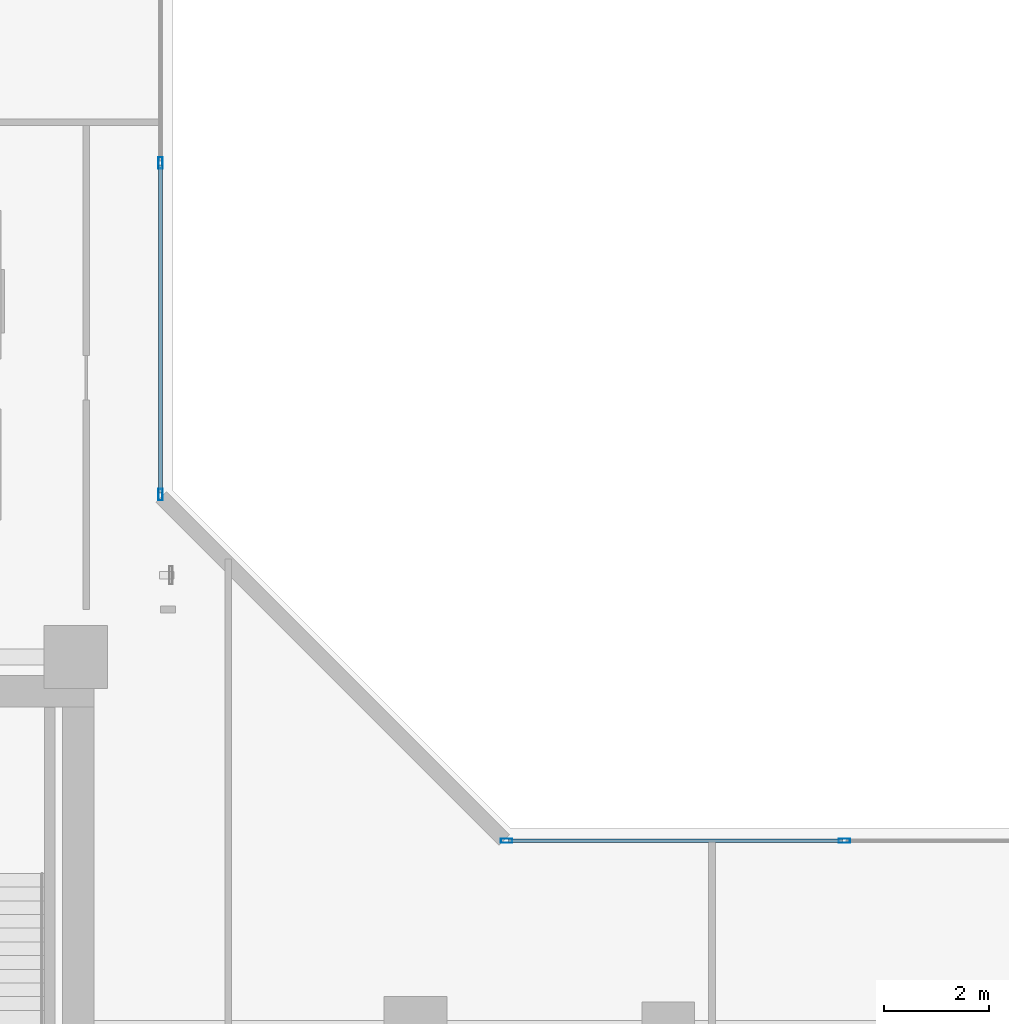
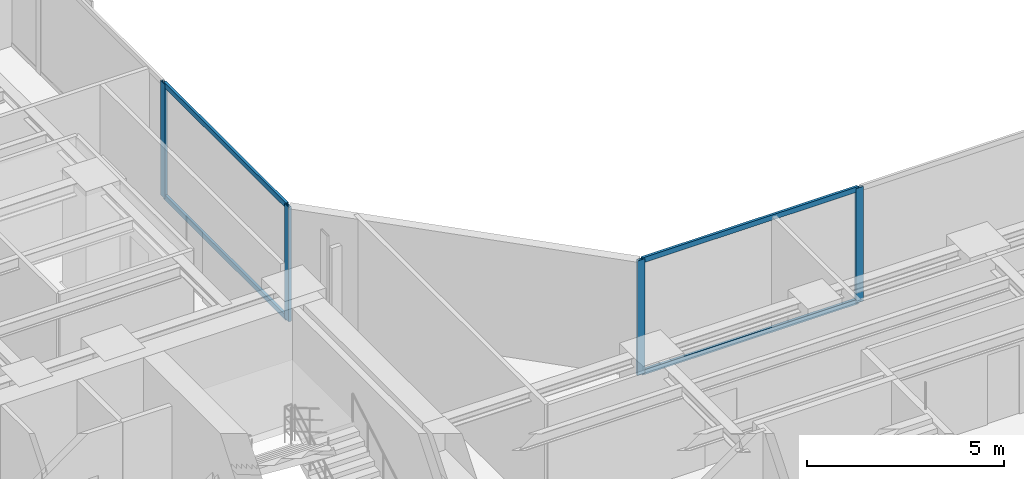
# One storey, part 10 of 27: 8 members, 2 elements without a shape of their own.
"""IFC4 building model written with IfcOpenShell, lengths in metres."""

from ifc_helpers import new_model, si_unit, direction, frame, origin, origin_with_axes, origin_2d, place, context, subcontext, project, spatial, hollow_rectangle, extrude, source, transform, mapped, material, layer, layer_set, material_profile, profile_set, type_object, element, aggregate, save


model = new_model("IFC4")

# Units and contexts
model_context = context("Model", 3, precision=1e-05, world=origin(), true_north=direction((0.0, 1.0)))
body_context = subcontext(model_context, "Body", "Model", "MODEL_VIEW")
ifc_project = project(units=[si_unit("LENGTHUNIT", "METRE"), si_unit("AREAUNIT", "SQUARE_METRE"), si_unit("VOLUMEUNIT", "CUBIC_METRE"), si_unit("PLANEANGLEUNIT", "RADIAN"), si_unit("MASSUNIT", "GRAM", prefix="KILO")], contexts=[model_context])

# Site, building, storey
site_placement = place(None, origin())
site = spatial("IfcSite", under=ifc_project, at=site_placement, CompositionType="ELEMENT")
building_placement = place(site_placement, origin())
building = spatial("IfcBuilding", under=site, at=building_placement, Name="Kolvaren Waterfront Exchange", CompositionType="ELEMENT")
storey_placement = place(building_placement, frame((0.0, 0.0, 191.800048828125)))
storey = spatial("IfcBuildingStorey", under=building, at=storey_placement, Name="L49", CompositionType="ELEMENT", Elevation=191.800048828125)

# Curtain wall, members
ifc_material_1 = material(Name="Anodised bronze aluminium 6063-T6", Category="aluminium")
ifc_layer = layer(ifc_material_1, 0.219970703125, Name="Anodised bronze aluminium 6063-T6")
ifc_layer_set = layer_set([ifc_layer], Name="Anodised bronze aluminium 6063-T6")
curtain_wall_type = type_object("IfcCurtainWallType", Name="ARC-CW-SYS1", PredefinedType="USERDEFINED", material=ifc_layer_set)
curtain_wall_1_placement = place(storey_placement, origin())
curtain_wall_1 = element("IfcCurtainWall", 1, at=curtain_wall_1_placement, inside=storey, type_object=curtain_wall_type, Name="L49 stick curtain wall CW1 (CW-L49-NE)", ObjectType="STICK CURTAIN WALL", PredefinedType="USERDEFINED")
ifc_material_2 = material(Name="Anodised aluminium 6063-T6", Category="aluminium")
ifc_material_profile_1 = material_profile(ifc_material_2, hollow_rectangle(XDim=0.080078125, YDim=0.219970703125, WallThickness=0.0048828125, at=origin_2d()), Name="ALU-MUL-220x80x5")
ifc_profile_set_1 = profile_set([ifc_material_profile_1], Name="Anodised aluminium 6063-T6")
member_type_1 = type_object("IfcMemberType", Name="ARC-CWM-220", PredefinedType="MULLION", material=ifc_profile_set_1)
shared_shape_1 = source(origin_with_axes(), body_context, "Body", "SweptSolid", [
    extrude(hollow_rectangle(XDim=0.080078125, YDim=0.219970703125, WallThickness=0.0048828125, at=origin_2d()), origin(), (0.0, 0.0, 1.0), 3.56005859375),
])
member_1_placement = place(storey_placement, frame((22.360107421875, 27.530029296875, 0.0), z_axis=(0.0, 0.0, 1.0), x_axis=(-1.0, 0.0, 0.0)))
member_1 = element("IfcMember", 2, at=member_1_placement, type_object=member_type_1, Name="CW1 mullion 1", PredefinedType="MULLION", context=body_context, shape_type="MappedRepresentation", body=[
    mapped(shared_shape_1, transform((0.0, 0.0, 0.0), x_axis=(1.0, 0.0, 0.0), y_axis=(0.0, 1.0, 0.0), z_axis=(0.0, 0.0, 1.0), scale=1.0)),
])
member_2_placement = place(storey_placement, frame((22.360107421875, 33.82666015625, 0.0), z_axis=(0.0, 0.0, 1.0), x_axis=(-1.0, 0.0, 0.0)))
member_2 = element("IfcMember", 3, at=member_2_placement, type_object=member_type_1, Name="CW1 mullion 2", PredefinedType="MULLION", context=body_context, shape_type="MappedRepresentation", body=[
    mapped(shared_shape_1, transform((0.0, 0.0, 0.0), x_axis=(1.0, 0.0, 0.0), y_axis=(0.0, 1.0, 0.0), z_axis=(0.0, 0.0, 1.0), scale=1.0)),
])

curtain_wall_2_placement = place(storey_placement, origin())
curtain_wall_2 = element("IfcCurtainWall", 4, at=curtain_wall_2_placement, inside=storey, type_object=curtain_wall_type, Name="L49 stick curtain wall CW1 (CW-L49-EN)", ObjectType="STICK CURTAIN WALL", PredefinedType="USERDEFINED")
member_3_placement = place(storey_placement, frame((28.929931640625, 20.9599609375, 0.0), z_axis=(0.0, 0.0, 1.0), x_axis=(0.0, 1.0, 0.0)))
member_3 = element("IfcMember", 5, at=member_3_placement, type_object=member_type_1, Name="CW1 mullion 1", PredefinedType="MULLION", context=body_context, shape_type="MappedRepresentation", body=[
    mapped(shared_shape_1, transform((0.0, 0.0, 0.0), x_axis=(1.0, 0.0, 0.0), y_axis=(0.0, 1.0, 0.0), z_axis=(0.0, 0.0, 1.0), scale=1.0)),
])
member_4_placement = place(storey_placement, frame((35.342529296875, 20.9599609375, 0.0), z_axis=(0.0, 0.0, 1.0), x_axis=(0.0, 1.0, 0.0)))
member_4 = element("IfcMember", 6, at=member_4_placement, type_object=member_type_1, Name="CW1 mullion 2", PredefinedType="MULLION", context=body_context, shape_type="MappedRepresentation", body=[
    mapped(shared_shape_1, transform((0.0, 0.0, 0.0), x_axis=(1.0, 0.0, 0.0), y_axis=(0.0, 1.0, 0.0), z_axis=(0.0, 0.0, 1.0), scale=1.0)),
])

# Member
ifc_material_profile_2 = material_profile(ifc_material_2, hollow_rectangle(XDim=0.074951171875, YDim=0.159912109375, WallThickness=0.00439453125, at=origin_2d()), Name="ALU-TRN-160x75x4.5")
ifc_profile_set_2 = profile_set([ifc_material_profile_2], Name="Anodised aluminium 6063-T6")
member_type_2 = type_object("IfcMemberType", Name="ARC-CWT-160", PredefinedType="USERDEFINED", material=ifc_profile_set_2)
shared_shape_2 = source(origin_with_axes(), body_context, "Body", "SweptSolid", [
    extrude(hollow_rectangle(XDim=0.074951171875, YDim=0.159912109375, WallThickness=0.00439453125, at=origin_2d()), origin(), (0.0, 0.0, 1.0), 6.216552734375),
])
member_5_placement = place(storey_placement, frame((22.360107421875, 27.570068359375, 0.037353515625), z_axis=(0.0, 1.0, 0.0), x_axis=(-1.0, 0.0, 0.0)))
member_5 = element("IfcMember", 7, at=member_5_placement, type_object=member_type_2, Name="CW1 transom 1.1", ObjectType="TRANSOM", PredefinedType="USERDEFINED", context=body_context, shape_type="MappedRepresentation", body=[
    mapped(shared_shape_2, transform((0.0, 0.0, 0.0), x_axis=(1.0, 0.0, 0.0), y_axis=(0.0, 1.0, 0.0), z_axis=(0.0, 0.0, 1.0), scale=1.0)),
])

member_6_placement = place(storey_placement, frame((22.360107421875, 27.570068359375, 3.5224609375), z_axis=(0.0, 1.0, 0.0), x_axis=(-1.0, 0.0, 0.0)))
member_6 = element("IfcMember", 8, at=member_6_placement, type_object=member_type_2, Name="CW1 transom 1.2", ObjectType="TRANSOM", PredefinedType="USERDEFINED", context=body_context, shape_type="MappedRepresentation", body=[
    mapped(shared_shape_2, transform((0.0, 0.0, 0.0), x_axis=(1.0, 0.0, 0.0), y_axis=(0.0, 1.0, 0.0), z_axis=(0.0, 0.0, 1.0), scale=1.0)),
])

aggregate(curtain_wall_1, [member_1, member_2, member_5, member_6])

shared_shape_3 = source(origin_with_axes(), body_context, "Body", "SweptSolid", [
    extrude(hollow_rectangle(XDim=0.074951171875, YDim=0.159912109375, WallThickness=0.00439453125, at=origin_2d()), origin(), (0.0, 0.0, 1.0), 6.33251953125),
])
member_7_placement = place(storey_placement, frame((28.969970703125, 20.9599609375, 0.037353515625), z_axis=(1.0, 0.0, 0.0), x_axis=(0.0, 1.0, 0.0)))
member_7 = element("IfcMember", 9, at=member_7_placement, type_object=member_type_2, Name="CW1 transom 1.1", ObjectType="TRANSOM", PredefinedType="USERDEFINED", context=body_context, shape_type="MappedRepresentation", body=[
    mapped(shared_shape_3, transform((0.0, 0.0, 0.0), x_axis=(1.0, 0.0, 0.0), y_axis=(0.0, 1.0, 0.0), z_axis=(0.0, 0.0, 1.0), scale=1.0)),
])

member_8_placement = place(storey_placement, frame((28.969970703125, 20.9599609375, 3.5224609375), z_axis=(1.0, 0.0, 0.0), x_axis=(0.0, 1.0, 0.0)))
member_8 = element("IfcMember", 10, at=member_8_placement, type_object=member_type_2, Name="CW1 transom 1.2", ObjectType="TRANSOM", PredefinedType="USERDEFINED", context=body_context, shape_type="MappedRepresentation", body=[
    mapped(shared_shape_3, transform((0.0, 0.0, 0.0), x_axis=(1.0, 0.0, 0.0), y_axis=(0.0, 1.0, 0.0), z_axis=(0.0, 0.0, 1.0), scale=1.0)),
])

aggregate(curtain_wall_2, [member_3, member_4, member_7, member_8])

save(model, "model.ifc")
